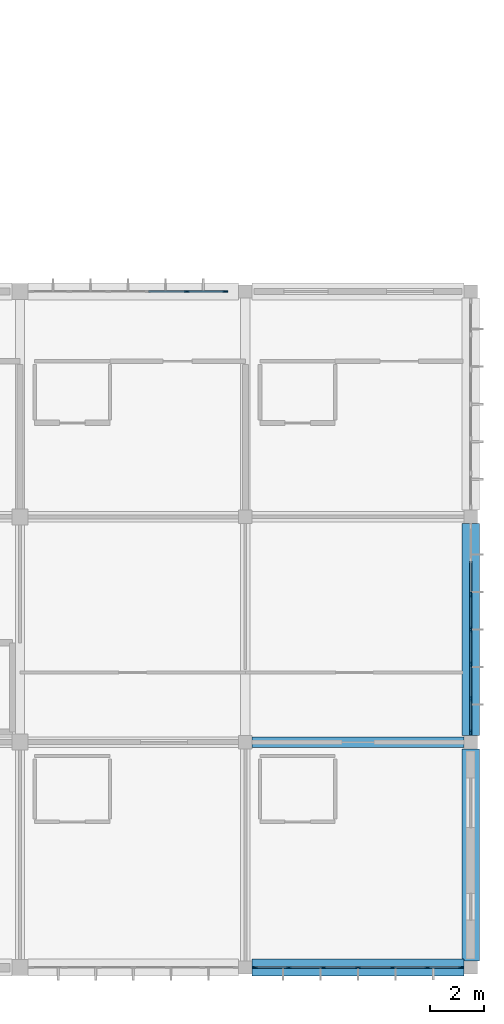
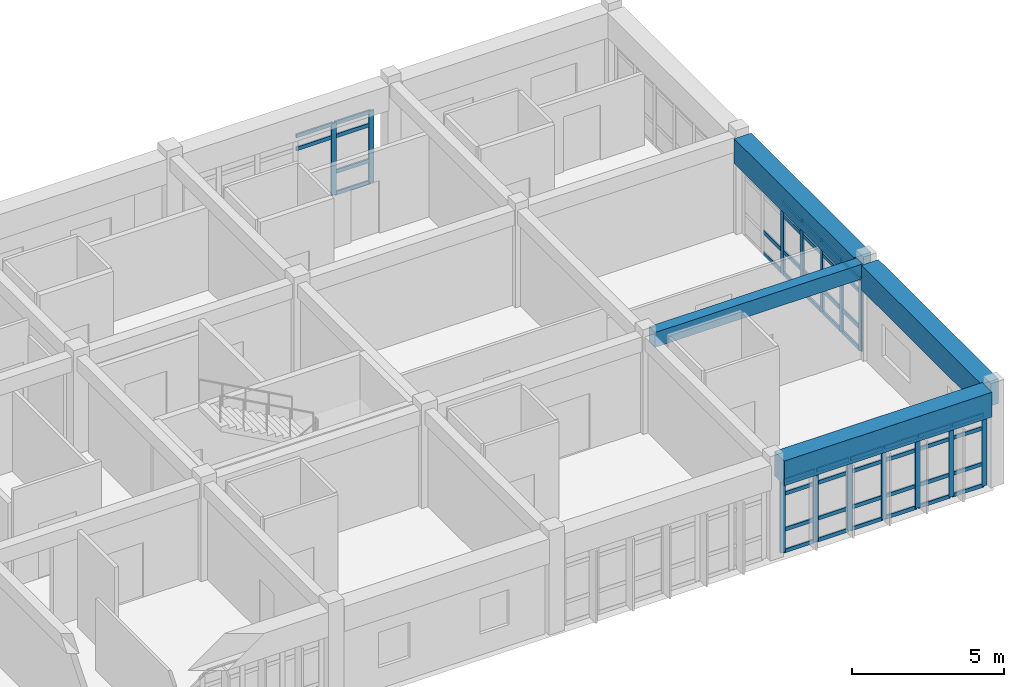
# One storey, part 46 of 119: 62 members, 4 beams, 3 elements without a shape of their own.
"""IFC4 building model written with IfcOpenShell, lengths in metres."""

from ifc_helpers import new_model, si_unit, direction, frame, origin, origin_2d, place, context, subcontext, project, spatial, rectangle, extrude, material, layer, layer_set, material_profile, profile_set, type_object, element, aggregate, save


model = new_model("IFC4")

# Units and contexts
model_context = context("Model", 3, precision=1e-05, world=origin(), true_north=direction((0.0, 1.0)))
body_context = subcontext(model_context, "Body", "Model", "MODEL_VIEW")
ifc_project = project(units=[si_unit("LENGTHUNIT", "METRE"), si_unit("AREAUNIT", "SQUARE_METRE"), si_unit("VOLUMEUNIT", "CUBIC_METRE"), si_unit("PLANEANGLEUNIT", "RADIAN"), si_unit("MASSUNIT", "GRAM", prefix="KILO")], contexts=[model_context])

# Site, building, storey
site_placement = place(None, origin())
site = spatial("IfcSite", under=ifc_project, at=site_placement, CompositionType="ELEMENT")
building_placement = place(site_placement, origin())
building = spatial("IfcBuilding", under=site, at=building_placement, Name="Bramfleet General Hospital", CompositionType="ELEMENT")
storey_placement = place(building_placement, frame((0.0, 0.0, 14.39990234375)))
storey = spatial("IfcBuildingStorey", under=building, at=storey_placement, Name="L03", CompositionType="ELEMENT", Elevation=14.39990234375)

# Beams
ifc_material_1 = material(Name="Concrete C35/45", Category="concrete")
ifc_material_profile_1 = material_profile(ifc_material_1, rectangle(XDim=0.39990234375, YDim=0.60009765625, at=origin_2d()), Name="RC BM 600x400")
ifc_profile_set_1 = profile_set([ifc_material_profile_1], Name="Concrete C35/45")
beam_type_1 = type_object("IfcBeamType", Name="BM-RC600", PredefinedType="BEAM", material=ifc_profile_set_1)
beam_1_placement = place(storey_placement, frame((159.85009765625, 8.39990234375, 3.60009765625), z_axis=(1.0, 0.0, 0.0), x_axis=(0.0, 1.0, 0.0)))
element("IfcBeam", 1, at=beam_1_placement, inside=storey, type_object=beam_type_1, Name="L03 Grid Beam X 19-01", PredefinedType="BEAM", context=body_context, shape_type="SweptSolid", body=[
    extrude(rectangle(XDim=0.39990234375, YDim=0.60009765625, at=origin_2d()), origin(), (0.0, 0.0, 1.0), 7.89990234375),
])
ifc_material_2 = material(Name="Concrete C40/50", Category="concrete")
ifc_material_profile_2 = material_profile(ifc_material_2, rectangle(XDim=0.64990234375, YDim=1.0, at=origin_2d()), Name="RC TG 1000x650")
ifc_profile_set_2 = profile_set([ifc_material_profile_2], Name="Concrete C40/50")
beam_type_2 = type_object("IfcBeamType", Name="BM-TG1000", PredefinedType="BEAM", material=ifc_profile_set_2)
for number, where, z_axis, x_axis, name in (
    (2, (159.85009765625, 0.0, 3.400146484375), (1.0, 0.0, 0.0), (0.0, 1.0, 0.0), "L03 Transfer Girder X 19-00"),
    (3, (168.0, 0.25, 3.400146484375), (0.0, 1.0, 0.0), (-1.0, 0.0, 0.0), "L03 Transfer Girder Y 20-00"),
):
    element("IfcBeam", number, at=place(storey_placement, frame(where, z_axis=z_axis, x_axis=x_axis)), inside=storey, type_object=beam_type_2, Name=name, PredefinedType="BEAM", context=body_context, shape_type="SweptSolid", body=[
        extrude(rectangle(XDim=0.64990234375, YDim=1.0, at=origin_2d()), origin(), (0.0, 0.0, 1.0), 7.89990234375),
    ])
beam_2_placement = place(storey_placement, frame((168.0, 8.64990234375, 3.400146484375), z_axis=(0.0, 1.0, 0.0), x_axis=(-1.0, 0.0, 0.0)))
element("IfcBeam", 4, at=beam_2_placement, inside=storey, type_object=beam_type_2, Name="L03 Transfer Girder Y 20-01", PredefinedType="BEAM", context=body_context, shape_type="SweptSolid", body=[
    extrude(rectangle(XDim=0.64990234375, YDim=1.0, at=origin_2d()), origin(), (0.0, 0.0, 1.0), 7.900146484375),
])

# Curtain wall, members
ifc_material_3 = material(Name="Anodised aluminium and low-E triple glazing", Category="aluminium")
ifc_layer_1 = layer(ifc_material_3, 0.179931640625, Name="CWT-CW-04")
ifc_layer_set_1 = layer_set([ifc_layer_1], Name="Anodised aluminium and low-E triple glazing")
curtain_wall_type_1 = type_object("IfcCurtainWallType", Name="CWT-CW-04", PredefinedType="USERDEFINED", material=ifc_layer_set_1)
curtain_wall_1_placement = place(storey_placement, origin())
curtain_wall_1 = element("IfcCurtainWall", 5, at=curtain_wall_1_placement, inside=storey, type_object=curtain_wall_type_1, Name="L03 Curtain Wall 166", ObjectType="Unitised curtain wall", PredefinedType="USERDEFINED")
ifc_material_4 = material(Name="Structural timber GL28h", Category="wood")
ifc_material_profile_3 = material_profile(ifc_material_4, rectangle(XDim=0.070068359375, YDim=0.18994140625, at=origin_2d()), Name="LARCH 190x70")
ifc_profile_set_3 = profile_set([ifc_material_profile_3], Name="Structural timber GL28h")
member_type_1 = type_object("IfcMemberType", Name="CWM-LARCH450", PredefinedType="MULLION", material=ifc_profile_set_3)
member_1_placement = place(storey_placement, frame((157.4189453125, 25.199951171875, 0.0), z_axis=(0.0, 0.0, 1.0), x_axis=(0.0, 1.0, 0.0)))
member_1 = element("IfcMember", 6, at=member_1_placement, type_object=member_type_1, Name="CW-04 mullion 5", PredefinedType="MULLION", context=body_context, shape_type="SweptSolid", body=[
    extrude(rectangle(XDim=0.070068359375, YDim=0.18994140625, at=origin_2d()), origin(), (0.0, 0.0, 1.0), 2.89013671875),
])
member_2_placement = place(storey_placement, frame((158.844970703125, 25.199951171875, 0.0), z_axis=(0.0, 0.0, 1.0), x_axis=(0.0, 1.0, 0.0)))
member_2 = element("IfcMember", 7, at=member_2_placement, type_object=member_type_1, Name="CW-04 mullion 6", PredefinedType="MULLION", context=body_context, shape_type="SweptSolid", body=[
    extrude(rectangle(XDim=0.070068359375, YDim=0.18994140625, at=origin_2d()), origin(), (0.0, 0.0, 1.0), 2.89013671875),
])

ifc_layer_2 = layer(ifc_material_3, 0.179931640625, Name="CWT-CW-06")
ifc_layer_set_2 = layer_set([ifc_layer_2], Name="Anodised aluminium and low-E triple glazing")
curtain_wall_type_2 = type_object("IfcCurtainWallType", Name="CWT-CW-06", PredefinedType="USERDEFINED", material=ifc_layer_set_2)
curtain_wall_2_placement = place(storey_placement, origin())
curtain_wall_2 = element("IfcCurtainWall", 8, at=curtain_wall_2_placement, inside=storey, type_object=curtain_wall_type_2, Name="L03 Curtain Wall 168", ObjectType="Unitised curtain wall", PredefinedType="USERDEFINED")
member_3_placement = place(storey_placement, frame((168.0, 13.8916015625, 0.0), z_axis=(0.0, 0.0, 1.0), x_axis=(1.0, 0.0, 0.0)))
member_3 = element("IfcMember", 9, at=member_3_placement, type_object=member_type_1, Name="CW-06 mullion 3", PredefinedType="MULLION", context=body_context, shape_type="SweptSolid", body=[
    extrude(rectangle(XDim=0.070068359375, YDim=0.18994140625, at=origin_2d()), origin(), (0.0, 0.0, 1.0), 2.89013671875),
])
member_4_placement = place(storey_placement, frame((168.0, 12.60009765625, 0.0), z_axis=(0.0, 0.0, 1.0), x_axis=(1.0, 0.0, 0.0)))
member_4 = element("IfcMember", 10, at=member_4_placement, type_object=member_type_1, Name="CW-06 mullion 4", PredefinedType="MULLION", context=body_context, shape_type="SweptSolid", body=[
    extrude(rectangle(XDim=0.070068359375, YDim=0.18994140625, at=origin_2d()), origin(), (0.0, 0.0, 1.0), 2.89013671875),
])
member_5_placement = place(storey_placement, frame((168.0, 11.308349609375, 0.0), z_axis=(0.0, 0.0, 1.0), x_axis=(1.0, 0.0, 0.0)))
member_5 = element("IfcMember", 11, at=member_5_placement, type_object=member_type_1, Name="CW-06 mullion 5", PredefinedType="MULLION", context=body_context, shape_type="SweptSolid", body=[
    extrude(rectangle(XDim=0.070068359375, YDim=0.18994140625, at=origin_2d()), origin(), (0.0, 0.0, 1.0), 2.89013671875),
])
member_6_placement = place(storey_placement, frame((168.0, 10.0166015625, 0.0), z_axis=(0.0, 0.0, 1.0), x_axis=(1.0, 0.0, 0.0)))
member_6 = element("IfcMember", 12, at=member_6_placement, type_object=member_type_1, Name="CW-06 mullion 6", PredefinedType="MULLION", context=body_context, shape_type="SweptSolid", body=[
    extrude(rectangle(XDim=0.070068359375, YDim=0.18994140625, at=origin_2d()), origin(), (0.0, 0.0, 1.0), 2.89013671875),
])
member_7_placement = place(storey_placement, frame((168.0, 8.760009765625, 0.0), z_axis=(0.0, 0.0, 1.0), x_axis=(1.0, 0.0, 0.0)))
member_7 = element("IfcMember", 13, at=member_7_placement, type_object=member_type_1, Name="CW-06 mullion 7", PredefinedType="MULLION", context=body_context, shape_type="SweptSolid", body=[
    extrude(rectangle(XDim=0.070068359375, YDim=0.18994140625, at=origin_2d()), origin(), (0.0, 0.0, 1.0), 2.89013671875),
])

ifc_layer_3 = layer(ifc_material_3, 0.179931640625, Name="CWT-CW-07")
ifc_layer_set_3 = layer_set([ifc_layer_3], Name="Anodised aluminium and low-E triple glazing")
curtain_wall_type_3 = type_object("IfcCurtainWallType", Name="CWT-CW-07", PredefinedType="USERDEFINED", material=ifc_layer_set_3)
curtain_wall_3_placement = place(storey_placement, origin())
curtain_wall_3 = element("IfcCurtainWall", 14, at=curtain_wall_3_placement, inside=storey, type_object=curtain_wall_type_3, Name="L03 Curtain Wall 169", ObjectType="Unitised curtain wall", PredefinedType="USERDEFINED")
member_8_placement = place(storey_placement, frame((167.639892578125, 0.0, 0.0), z_axis=(0.0, 0.0, 1.0), x_axis=(0.0, -1.0, 0.0)))
member_8 = element("IfcMember", 15, at=member_8_placement, type_object=member_type_1, Name="CW-07 mullion 1", PredefinedType="MULLION", context=body_context, shape_type="SweptSolid", body=[
    extrude(rectangle(XDim=0.070068359375, YDim=0.18994140625, at=origin_2d()), origin(), (0.0, 0.0, 1.0), 2.89013671875),
])
member_9_placement = place(storey_placement, frame((166.38330078125, 0.0, 0.0), z_axis=(0.0, 0.0, 1.0), x_axis=(0.0, -1.0, 0.0)))
member_9 = element("IfcMember", 16, at=member_9_placement, type_object=member_type_1, Name="CW-07 mullion 2", PredefinedType="MULLION", context=body_context, shape_type="SweptSolid", body=[
    extrude(rectangle(XDim=0.070068359375, YDim=0.18994140625, at=origin_2d()), origin(), (0.0, 0.0, 1.0), 2.89013671875),
])
member_10_placement = place(storey_placement, frame((165.091552734375, 0.0, 0.0), z_axis=(0.0, 0.0, 1.0), x_axis=(0.0, -1.0, 0.0)))
member_10 = element("IfcMember", 17, at=member_10_placement, type_object=member_type_1, Name="CW-07 mullion 3", PredefinedType="MULLION", context=body_context, shape_type="SweptSolid", body=[
    extrude(rectangle(XDim=0.070068359375, YDim=0.18994140625, at=origin_2d()), origin(), (0.0, 0.0, 1.0), 2.89013671875),
])
member_11_placement = place(storey_placement, frame((163.800048828125, 0.0, 0.0), z_axis=(0.0, 0.0, 1.0), x_axis=(0.0, -1.0, 0.0)))
member_11 = element("IfcMember", 18, at=member_11_placement, type_object=member_type_1, Name="CW-07 mullion 4", PredefinedType="MULLION", context=body_context, shape_type="SweptSolid", body=[
    extrude(rectangle(XDim=0.070068359375, YDim=0.18994140625, at=origin_2d()), origin(), (0.0, 0.0, 1.0), 2.89013671875),
])
member_12_placement = place(storey_placement, frame((162.50830078125, 0.0, 0.0), z_axis=(0.0, 0.0, 1.0), x_axis=(0.0, -1.0, 0.0)))
member_12 = element("IfcMember", 19, at=member_12_placement, type_object=member_type_1, Name="CW-07 mullion 5", PredefinedType="MULLION", context=body_context, shape_type="SweptSolid", body=[
    extrude(rectangle(XDim=0.070068359375, YDim=0.18994140625, at=origin_2d()), origin(), (0.0, 0.0, 1.0), 2.89013671875),
])
member_13_placement = place(storey_placement, frame((161.216552734375, 0.0, 0.0), z_axis=(0.0, 0.0, 1.0), x_axis=(0.0, -1.0, 0.0)))
member_13 = element("IfcMember", 20, at=member_13_placement, type_object=member_type_1, Name="CW-07 mullion 6", PredefinedType="MULLION", context=body_context, shape_type="SweptSolid", body=[
    extrude(rectangle(XDim=0.070068359375, YDim=0.18994140625, at=origin_2d()), origin(), (0.0, 0.0, 1.0), 2.89013671875),
])
member_14_placement = place(storey_placement, frame((159.9599609375, 0.0, 0.0), z_axis=(0.0, 0.0, 1.0), x_axis=(0.0, -1.0, 0.0)))
member_14 = element("IfcMember", 21, at=member_14_placement, type_object=member_type_1, Name="CW-07 mullion 7", PredefinedType="MULLION", context=body_context, shape_type="SweptSolid", body=[
    extrude(rectangle(XDim=0.070068359375, YDim=0.18994140625, at=origin_2d()), origin(), (0.0, 0.0, 1.0), 2.89013671875),
])

# Member
ifc_material_profile_4 = material_profile(ifc_material_4, rectangle(XDim=0.06494140625, YDim=0.14990234375, at=origin_2d()), Name="LARCH 150x65")
ifc_profile_set_4 = profile_set([ifc_material_profile_4], Name="Structural timber GL28h")
member_type_2 = type_object("IfcMemberType", Name="CWT-LARCH220", PredefinedType="USERDEFINED", material=ifc_profile_set_4)
member_15_placement = place(storey_placement, frame((155.992919921875, 25.199951171875, 2.340087890625), z_axis=(1.0, 0.0, 0.0), x_axis=(0.0, 1.0, 0.0)))
member_15 = element("IfcMember", 22, at=member_15_placement, type_object=member_type_2, Name="CW-04 transom 4.3", ObjectType="TRANSOM", PredefinedType="USERDEFINED", context=body_context, shape_type="SweptSolid", body=[
    extrude(rectangle(XDim=0.06494140625, YDim=0.14990234375, at=origin_2d()), origin(), (0.0, 0.0, 1.0), 1.39111328125),
])

member_16_placement = place(storey_placement, frame((155.992919921875, 25.199951171875, 2.857666015625), z_axis=(1.0, 0.0, 0.0), x_axis=(0.0, 1.0, 0.0)))
member_16 = element("IfcMember", 23, at=member_16_placement, type_object=member_type_2, Name="CW-04 transom 4.4", ObjectType="TRANSOM", PredefinedType="USERDEFINED", context=body_context, shape_type="SweptSolid", body=[
    extrude(rectangle(XDim=0.06494140625, YDim=0.14990234375, at=origin_2d()), origin(), (0.0, 0.0, 1.0), 1.39111328125),
])

member_17_placement = place(storey_placement, frame((157.4541015625, 25.199951171875, 0.03271484375), z_axis=(1.0, 0.0, 0.0), x_axis=(0.0, 1.0, 0.0)))
member_17 = element("IfcMember", 24, at=member_17_placement, type_object=member_type_2, Name="CW-04 transom 5.1", ObjectType="TRANSOM", PredefinedType="USERDEFINED", context=body_context, shape_type="SweptSolid", body=[
    extrude(rectangle(XDim=0.06494140625, YDim=0.14990234375, at=origin_2d()), origin(), (0.0, 0.0, 1.0), 1.35595703125),
])

member_18_placement = place(storey_placement, frame((157.4541015625, 25.199951171875, 0.900146484375), z_axis=(1.0, 0.0, 0.0), x_axis=(0.0, 1.0, 0.0)))
member_18 = element("IfcMember", 25, at=member_18_placement, type_object=member_type_2, Name="CW-04 transom 5.2", ObjectType="TRANSOM", PredefinedType="USERDEFINED", context=body_context, shape_type="SweptSolid", body=[
    extrude(rectangle(XDim=0.06494140625, YDim=0.14990234375, at=origin_2d()), origin(), (0.0, 0.0, 1.0), 1.35595703125),
])

member_19_placement = place(storey_placement, frame((157.4541015625, 25.199951171875, 2.340087890625), z_axis=(1.0, 0.0, 0.0), x_axis=(0.0, 1.0, 0.0)))
member_19 = element("IfcMember", 26, at=member_19_placement, type_object=member_type_2, Name="CW-04 transom 5.3", ObjectType="TRANSOM", PredefinedType="USERDEFINED", context=body_context, shape_type="SweptSolid", body=[
    extrude(rectangle(XDim=0.06494140625, YDim=0.14990234375, at=origin_2d()), origin(), (0.0, 0.0, 1.0), 1.35595703125),
])

member_20_placement = place(storey_placement, frame((157.4541015625, 25.199951171875, 2.857666015625), z_axis=(1.0, 0.0, 0.0), x_axis=(0.0, 1.0, 0.0)))
member_20 = element("IfcMember", 27, at=member_20_placement, type_object=member_type_2, Name="CW-04 transom 5.4", ObjectType="TRANSOM", PredefinedType="USERDEFINED", context=body_context, shape_type="SweptSolid", body=[
    extrude(rectangle(XDim=0.06494140625, YDim=0.14990234375, at=origin_2d()), origin(), (0.0, 0.0, 1.0), 1.35595703125),
])

aggregate(curtain_wall_1, [member_1, member_2, member_15, member_16, member_17, member_18, member_19, member_20])

member_21_placement = place(storey_placement, frame((168.0, 15.1484375, 0.03271484375), z_axis=(0.0, -1.0, 0.0), x_axis=(1.0, 0.0, 0.0)))
member_21 = element("IfcMember", 28, at=member_21_placement, type_object=member_type_2, Name="CW-06 transom 2.1", ObjectType="TRANSOM", PredefinedType="USERDEFINED", context=body_context, shape_type="SweptSolid", body=[
    extrude(rectangle(XDim=0.06494140625, YDim=0.14990234375, at=origin_2d()), origin(), (0.0, 0.0, 1.0), 1.2216796875),
])

member_22_placement = place(storey_placement, frame((168.0, 15.1484375, 0.900146484375), z_axis=(0.0, -1.0, 0.0), x_axis=(1.0, 0.0, 0.0)))
member_22 = element("IfcMember", 29, at=member_22_placement, type_object=member_type_2, Name="CW-06 transom 2.2", ObjectType="TRANSOM", PredefinedType="USERDEFINED", context=body_context, shape_type="SweptSolid", body=[
    extrude(rectangle(XDim=0.06494140625, YDim=0.14990234375, at=origin_2d()), origin(), (0.0, 0.0, 1.0), 1.2216796875),
])

member_23_placement = place(storey_placement, frame((168.0, 13.856689453125, 0.03271484375), z_axis=(0.0, -1.0, 0.0), x_axis=(1.0, 0.0, 0.0)))
member_23 = element("IfcMember", 30, at=member_23_placement, type_object=member_type_2, Name="CW-06 transom 3.1", ObjectType="TRANSOM", PredefinedType="USERDEFINED", context=body_context, shape_type="SweptSolid", body=[
    extrude(rectangle(XDim=0.06494140625, YDim=0.14990234375, at=origin_2d()), origin(), (0.0, 0.0, 1.0), 1.2216796875),
])

member_24_placement = place(storey_placement, frame((168.0, 13.856689453125, 0.900146484375), z_axis=(0.0, -1.0, 0.0), x_axis=(1.0, 0.0, 0.0)))
member_24 = element("IfcMember", 31, at=member_24_placement, type_object=member_type_2, Name="CW-06 transom 3.2", ObjectType="TRANSOM", PredefinedType="USERDEFINED", context=body_context, shape_type="SweptSolid", body=[
    extrude(rectangle(XDim=0.06494140625, YDim=0.14990234375, at=origin_2d()), origin(), (0.0, 0.0, 1.0), 1.2216796875),
])

member_25_placement = place(storey_placement, frame((168.0, 13.856689453125, 2.340087890625), z_axis=(0.0, -1.0, 0.0), x_axis=(1.0, 0.0, 0.0)))
member_25 = element("IfcMember", 32, at=member_25_placement, type_object=member_type_2, Name="CW-06 transom 3.3", ObjectType="TRANSOM", PredefinedType="USERDEFINED", context=body_context, shape_type="SweptSolid", body=[
    extrude(rectangle(XDim=0.06494140625, YDim=0.14990234375, at=origin_2d()), origin(), (0.0, 0.0, 1.0), 1.2216796875),
])

member_26_placement = place(storey_placement, frame((168.0, 13.856689453125, 2.857666015625), z_axis=(0.0, -1.0, 0.0), x_axis=(1.0, 0.0, 0.0)))
member_26 = element("IfcMember", 33, at=member_26_placement, type_object=member_type_2, Name="CW-06 transom 3.4", ObjectType="TRANSOM", PredefinedType="USERDEFINED", context=body_context, shape_type="SweptSolid", body=[
    extrude(rectangle(XDim=0.06494140625, YDim=0.14990234375, at=origin_2d()), origin(), (0.0, 0.0, 1.0), 1.2216796875),
])

member_27_placement = place(storey_placement, frame((168.0, 12.56494140625, 0.03271484375), z_axis=(0.0, -1.0, 0.0), x_axis=(1.0, 0.0, 0.0)))
member_27 = element("IfcMember", 34, at=member_27_placement, type_object=member_type_2, Name="CW-06 transom 4.1", ObjectType="TRANSOM", PredefinedType="USERDEFINED", context=body_context, shape_type="SweptSolid", body=[
    extrude(rectangle(XDim=0.06494140625, YDim=0.14990234375, at=origin_2d()), origin(), (0.0, 0.0, 1.0), 1.2216796875),
])

member_28_placement = place(storey_placement, frame((168.0, 12.56494140625, 0.900146484375), z_axis=(0.0, -1.0, 0.0), x_axis=(1.0, 0.0, 0.0)))
member_28 = element("IfcMember", 35, at=member_28_placement, type_object=member_type_2, Name="CW-06 transom 4.2", ObjectType="TRANSOM", PredefinedType="USERDEFINED", context=body_context, shape_type="SweptSolid", body=[
    extrude(rectangle(XDim=0.06494140625, YDim=0.14990234375, at=origin_2d()), origin(), (0.0, 0.0, 1.0), 1.2216796875),
])

member_29_placement = place(storey_placement, frame((168.0, 12.56494140625, 2.340087890625), z_axis=(0.0, -1.0, 0.0), x_axis=(1.0, 0.0, 0.0)))
member_29 = element("IfcMember", 36, at=member_29_placement, type_object=member_type_2, Name="CW-06 transom 4.3", ObjectType="TRANSOM", PredefinedType="USERDEFINED", context=body_context, shape_type="SweptSolid", body=[
    extrude(rectangle(XDim=0.06494140625, YDim=0.14990234375, at=origin_2d()), origin(), (0.0, 0.0, 1.0), 1.2216796875),
])

member_30_placement = place(storey_placement, frame((168.0, 12.56494140625, 2.857666015625), z_axis=(0.0, -1.0, 0.0), x_axis=(1.0, 0.0, 0.0)))
member_30 = element("IfcMember", 37, at=member_30_placement, type_object=member_type_2, Name="CW-06 transom 4.4", ObjectType="TRANSOM", PredefinedType="USERDEFINED", context=body_context, shape_type="SweptSolid", body=[
    extrude(rectangle(XDim=0.06494140625, YDim=0.14990234375, at=origin_2d()), origin(), (0.0, 0.0, 1.0), 1.2216796875),
])

member_31_placement = place(storey_placement, frame((168.0, 11.2734375, 0.03271484375), z_axis=(0.0, -1.0, 0.0), x_axis=(1.0, 0.0, 0.0)))
member_31 = element("IfcMember", 38, at=member_31_placement, type_object=member_type_2, Name="CW-06 transom 5.1", ObjectType="TRANSOM", PredefinedType="USERDEFINED", context=body_context, shape_type="SweptSolid", body=[
    extrude(rectangle(XDim=0.06494140625, YDim=0.14990234375, at=origin_2d()), origin(), (0.0, 0.0, 1.0), 1.2216796875),
])

member_32_placement = place(storey_placement, frame((168.0, 11.2734375, 0.900146484375), z_axis=(0.0, -1.0, 0.0), x_axis=(1.0, 0.0, 0.0)))
member_32 = element("IfcMember", 39, at=member_32_placement, type_object=member_type_2, Name="CW-06 transom 5.2", ObjectType="TRANSOM", PredefinedType="USERDEFINED", context=body_context, shape_type="SweptSolid", body=[
    extrude(rectangle(XDim=0.06494140625, YDim=0.14990234375, at=origin_2d()), origin(), (0.0, 0.0, 1.0), 1.2216796875),
])

member_33_placement = place(storey_placement, frame((168.0, 11.2734375, 2.340087890625), z_axis=(0.0, -1.0, 0.0), x_axis=(1.0, 0.0, 0.0)))
member_33 = element("IfcMember", 40, at=member_33_placement, type_object=member_type_2, Name="CW-06 transom 5.3", ObjectType="TRANSOM", PredefinedType="USERDEFINED", context=body_context, shape_type="SweptSolid", body=[
    extrude(rectangle(XDim=0.06494140625, YDim=0.14990234375, at=origin_2d()), origin(), (0.0, 0.0, 1.0), 1.2216796875),
])

member_34_placement = place(storey_placement, frame((168.0, 11.2734375, 2.857666015625), z_axis=(0.0, -1.0, 0.0), x_axis=(1.0, 0.0, 0.0)))
member_34 = element("IfcMember", 41, at=member_34_placement, type_object=member_type_2, Name="CW-06 transom 5.4", ObjectType="TRANSOM", PredefinedType="USERDEFINED", context=body_context, shape_type="SweptSolid", body=[
    extrude(rectangle(XDim=0.06494140625, YDim=0.14990234375, at=origin_2d()), origin(), (0.0, 0.0, 1.0), 1.2216796875),
])

member_35_placement = place(storey_placement, frame((168.0, 9.981689453125, 0.03271484375), z_axis=(0.0, -1.0, 0.0), x_axis=(1.0, 0.0, 0.0)))
member_35 = element("IfcMember", 42, at=member_35_placement, type_object=member_type_2, Name="CW-06 transom 6.1", ObjectType="TRANSOM", PredefinedType="USERDEFINED", context=body_context, shape_type="SweptSolid", body=[
    extrude(rectangle(XDim=0.06494140625, YDim=0.14990234375, at=origin_2d()), origin(), (0.0, 0.0, 1.0), 1.186767578125),
])

member_36_placement = place(storey_placement, frame((168.0, 9.981689453125, 0.900146484375), z_axis=(0.0, -1.0, 0.0), x_axis=(1.0, 0.0, 0.0)))
member_36 = element("IfcMember", 43, at=member_36_placement, type_object=member_type_2, Name="CW-06 transom 6.2", ObjectType="TRANSOM", PredefinedType="USERDEFINED", context=body_context, shape_type="SweptSolid", body=[
    extrude(rectangle(XDim=0.06494140625, YDim=0.14990234375, at=origin_2d()), origin(), (0.0, 0.0, 1.0), 1.186767578125),
])

member_37_placement = place(storey_placement, frame((168.0, 9.981689453125, 2.340087890625), z_axis=(0.0, -1.0, 0.0), x_axis=(1.0, 0.0, 0.0)))
member_37 = element("IfcMember", 44, at=member_37_placement, type_object=member_type_2, Name="CW-06 transom 6.3", ObjectType="TRANSOM", PredefinedType="USERDEFINED", context=body_context, shape_type="SweptSolid", body=[
    extrude(rectangle(XDim=0.06494140625, YDim=0.14990234375, at=origin_2d()), origin(), (0.0, 0.0, 1.0), 1.186767578125),
])

member_38_placement = place(storey_placement, frame((168.0, 9.981689453125, 2.857666015625), z_axis=(0.0, -1.0, 0.0), x_axis=(1.0, 0.0, 0.0)))
member_38 = element("IfcMember", 45, at=member_38_placement, type_object=member_type_2, Name="CW-06 transom 6.4", ObjectType="TRANSOM", PredefinedType="USERDEFINED", context=body_context, shape_type="SweptSolid", body=[
    extrude(rectangle(XDim=0.06494140625, YDim=0.14990234375, at=origin_2d()), origin(), (0.0, 0.0, 1.0), 1.186767578125),
])

aggregate(curtain_wall_2, [member_3, member_4, member_5, member_6, member_7, member_21, member_22, member_23, member_24, member_25, member_26, member_27, member_28, member_29, member_30, member_31, member_32, member_33, member_34, member_35, member_36, member_37, member_38])

member_39_placement = place(storey_placement, frame((167.60498046875, 0.0, 0.03271484375), z_axis=(-1.0, 0.0, 0.0), x_axis=(0.0, -1.0, 0.0)))
member_39 = element("IfcMember", 46, at=member_39_placement, type_object=member_type_2, Name="CW-07 transom 1.1", ObjectType="TRANSOM", PredefinedType="USERDEFINED", context=body_context, shape_type="SweptSolid", body=[
    extrude(rectangle(XDim=0.06494140625, YDim=0.14990234375, at=origin_2d()), origin(), (0.0, 0.0, 1.0), 1.186767578125),
])

member_40_placement = place(storey_placement, frame((167.60498046875, 0.0, 0.900146484375), z_axis=(-1.0, 0.0, 0.0), x_axis=(0.0, -1.0, 0.0)))
member_40 = element("IfcMember", 47, at=member_40_placement, type_object=member_type_2, Name="CW-07 transom 1.2", ObjectType="TRANSOM", PredefinedType="USERDEFINED", context=body_context, shape_type="SweptSolid", body=[
    extrude(rectangle(XDim=0.06494140625, YDim=0.14990234375, at=origin_2d()), origin(), (0.0, 0.0, 1.0), 1.186767578125),
])

member_41_placement = place(storey_placement, frame((167.60498046875, 0.0, 2.340087890625), z_axis=(-1.0, 0.0, 0.0), x_axis=(0.0, -1.0, 0.0)))
member_41 = element("IfcMember", 48, at=member_41_placement, type_object=member_type_2, Name="CW-07 transom 1.3", ObjectType="TRANSOM", PredefinedType="USERDEFINED", context=body_context, shape_type="SweptSolid", body=[
    extrude(rectangle(XDim=0.06494140625, YDim=0.14990234375, at=origin_2d()), origin(), (0.0, 0.0, 1.0), 1.186767578125),
])

member_42_placement = place(storey_placement, frame((167.60498046875, 0.0, 2.857666015625), z_axis=(-1.0, 0.0, 0.0), x_axis=(0.0, -1.0, 0.0)))
member_42 = element("IfcMember", 49, at=member_42_placement, type_object=member_type_2, Name="CW-07 transom 1.4", ObjectType="TRANSOM", PredefinedType="USERDEFINED", context=body_context, shape_type="SweptSolid", body=[
    extrude(rectangle(XDim=0.06494140625, YDim=0.14990234375, at=origin_2d()), origin(), (0.0, 0.0, 1.0), 1.186767578125),
])

member_43_placement = place(storey_placement, frame((166.348388671875, 0.0, 0.03271484375), z_axis=(-1.0, 0.0, 0.0), x_axis=(0.0, -1.0, 0.0)))
member_43 = element("IfcMember", 50, at=member_43_placement, type_object=member_type_2, Name="CW-07 transom 2.1", ObjectType="TRANSOM", PredefinedType="USERDEFINED", context=body_context, shape_type="SweptSolid", body=[
    extrude(rectangle(XDim=0.06494140625, YDim=0.14990234375, at=origin_2d()), origin(), (0.0, 0.0, 1.0), 1.2216796875),
])

member_44_placement = place(storey_placement, frame((166.348388671875, 0.0, 0.900146484375), z_axis=(-1.0, 0.0, 0.0), x_axis=(0.0, -1.0, 0.0)))
member_44 = element("IfcMember", 51, at=member_44_placement, type_object=member_type_2, Name="CW-07 transom 2.2", ObjectType="TRANSOM", PredefinedType="USERDEFINED", context=body_context, shape_type="SweptSolid", body=[
    extrude(rectangle(XDim=0.06494140625, YDim=0.14990234375, at=origin_2d()), origin(), (0.0, 0.0, 1.0), 1.2216796875),
])

member_45_placement = place(storey_placement, frame((166.348388671875, 0.0, 2.340087890625), z_axis=(-1.0, 0.0, 0.0), x_axis=(0.0, -1.0, 0.0)))
member_45 = element("IfcMember", 52, at=member_45_placement, type_object=member_type_2, Name="CW-07 transom 2.3", ObjectType="TRANSOM", PredefinedType="USERDEFINED", context=body_context, shape_type="SweptSolid", body=[
    extrude(rectangle(XDim=0.06494140625, YDim=0.14990234375, at=origin_2d()), origin(), (0.0, 0.0, 1.0), 1.2216796875),
])

member_46_placement = place(storey_placement, frame((166.348388671875, 0.0, 2.857666015625), z_axis=(-1.0, 0.0, 0.0), x_axis=(0.0, -1.0, 0.0)))
member_46 = element("IfcMember", 53, at=member_46_placement, type_object=member_type_2, Name="CW-07 transom 2.4", ObjectType="TRANSOM", PredefinedType="USERDEFINED", context=body_context, shape_type="SweptSolid", body=[
    extrude(rectangle(XDim=0.06494140625, YDim=0.14990234375, at=origin_2d()), origin(), (0.0, 0.0, 1.0), 1.2216796875),
])

member_47_placement = place(storey_placement, frame((165.056640625, 0.0, 0.03271484375), z_axis=(-1.0, 0.0, 0.0), x_axis=(0.0, -1.0, 0.0)))
member_47 = element("IfcMember", 54, at=member_47_placement, type_object=member_type_2, Name="CW-07 transom 3.1", ObjectType="TRANSOM", PredefinedType="USERDEFINED", context=body_context, shape_type="SweptSolid", body=[
    extrude(rectangle(XDim=0.06494140625, YDim=0.14990234375, at=origin_2d()), origin(), (0.0, 0.0, 1.0), 1.2216796875),
])

member_48_placement = place(storey_placement, frame((165.056640625, 0.0, 0.900146484375), z_axis=(-1.0, 0.0, 0.0), x_axis=(0.0, -1.0, 0.0)))
member_48 = element("IfcMember", 55, at=member_48_placement, type_object=member_type_2, Name="CW-07 transom 3.2", ObjectType="TRANSOM", PredefinedType="USERDEFINED", context=body_context, shape_type="SweptSolid", body=[
    extrude(rectangle(XDim=0.06494140625, YDim=0.14990234375, at=origin_2d()), origin(), (0.0, 0.0, 1.0), 1.2216796875),
])

member_49_placement = place(storey_placement, frame((165.056640625, 0.0, 2.340087890625), z_axis=(-1.0, 0.0, 0.0), x_axis=(0.0, -1.0, 0.0)))
member_49 = element("IfcMember", 56, at=member_49_placement, type_object=member_type_2, Name="CW-07 transom 3.3", ObjectType="TRANSOM", PredefinedType="USERDEFINED", context=body_context, shape_type="SweptSolid", body=[
    extrude(rectangle(XDim=0.06494140625, YDim=0.14990234375, at=origin_2d()), origin(), (0.0, 0.0, 1.0), 1.2216796875),
])

member_50_placement = place(storey_placement, frame((165.056640625, 0.0, 2.857666015625), z_axis=(-1.0, 0.0, 0.0), x_axis=(0.0, -1.0, 0.0)))
member_50 = element("IfcMember", 57, at=member_50_placement, type_object=member_type_2, Name="CW-07 transom 3.4", ObjectType="TRANSOM", PredefinedType="USERDEFINED", context=body_context, shape_type="SweptSolid", body=[
    extrude(rectangle(XDim=0.06494140625, YDim=0.14990234375, at=origin_2d()), origin(), (0.0, 0.0, 1.0), 1.2216796875),
])

member_51_placement = place(storey_placement, frame((163.764892578125, 0.0, 0.03271484375), z_axis=(-1.0, 0.0, 0.0), x_axis=(0.0, -1.0, 0.0)))
member_51 = element("IfcMember", 58, at=member_51_placement, type_object=member_type_2, Name="CW-07 transom 4.1", ObjectType="TRANSOM", PredefinedType="USERDEFINED", context=body_context, shape_type="SweptSolid", body=[
    extrude(rectangle(XDim=0.06494140625, YDim=0.14990234375, at=origin_2d()), origin(), (0.0, 0.0, 1.0), 1.2216796875),
])

member_52_placement = place(storey_placement, frame((163.764892578125, 0.0, 0.900146484375), z_axis=(-1.0, 0.0, 0.0), x_axis=(0.0, -1.0, 0.0)))
member_52 = element("IfcMember", 59, at=member_52_placement, type_object=member_type_2, Name="CW-07 transom 4.2", ObjectType="TRANSOM", PredefinedType="USERDEFINED", context=body_context, shape_type="SweptSolid", body=[
    extrude(rectangle(XDim=0.06494140625, YDim=0.14990234375, at=origin_2d()), origin(), (0.0, 0.0, 1.0), 1.2216796875),
])

member_53_placement = place(storey_placement, frame((163.764892578125, 0.0, 2.340087890625), z_axis=(-1.0, 0.0, 0.0), x_axis=(0.0, -1.0, 0.0)))
member_53 = element("IfcMember", 60, at=member_53_placement, type_object=member_type_2, Name="CW-07 transom 4.3", ObjectType="TRANSOM", PredefinedType="USERDEFINED", context=body_context, shape_type="SweptSolid", body=[
    extrude(rectangle(XDim=0.06494140625, YDim=0.14990234375, at=origin_2d()), origin(), (0.0, 0.0, 1.0), 1.2216796875),
])

member_54_placement = place(storey_placement, frame((163.764892578125, 0.0, 2.857666015625), z_axis=(-1.0, 0.0, 0.0), x_axis=(0.0, -1.0, 0.0)))
member_54 = element("IfcMember", 61, at=member_54_placement, type_object=member_type_2, Name="CW-07 transom 4.4", ObjectType="TRANSOM", PredefinedType="USERDEFINED", context=body_context, shape_type="SweptSolid", body=[
    extrude(rectangle(XDim=0.06494140625, YDim=0.14990234375, at=origin_2d()), origin(), (0.0, 0.0, 1.0), 1.2216796875),
])

member_55_placement = place(storey_placement, frame((162.473388671875, 0.0, 0.03271484375), z_axis=(-1.0, 0.0, 0.0), x_axis=(0.0, -1.0, 0.0)))
member_55 = element("IfcMember", 62, at=member_55_placement, type_object=member_type_2, Name="CW-07 transom 5.1", ObjectType="TRANSOM", PredefinedType="USERDEFINED", context=body_context, shape_type="SweptSolid", body=[
    extrude(rectangle(XDim=0.06494140625, YDim=0.14990234375, at=origin_2d()), origin(), (0.0, 0.0, 1.0), 1.2216796875),
])

member_56_placement = place(storey_placement, frame((162.473388671875, 0.0, 0.900146484375), z_axis=(-1.0, 0.0, 0.0), x_axis=(0.0, -1.0, 0.0)))
member_56 = element("IfcMember", 63, at=member_56_placement, type_object=member_type_2, Name="CW-07 transom 5.2", ObjectType="TRANSOM", PredefinedType="USERDEFINED", context=body_context, shape_type="SweptSolid", body=[
    extrude(rectangle(XDim=0.06494140625, YDim=0.14990234375, at=origin_2d()), origin(), (0.0, 0.0, 1.0), 1.2216796875),
])

member_57_placement = place(storey_placement, frame((162.473388671875, 0.0, 2.340087890625), z_axis=(-1.0, 0.0, 0.0), x_axis=(0.0, -1.0, 0.0)))
member_57 = element("IfcMember", 64, at=member_57_placement, type_object=member_type_2, Name="CW-07 transom 5.3", ObjectType="TRANSOM", PredefinedType="USERDEFINED", context=body_context, shape_type="SweptSolid", body=[
    extrude(rectangle(XDim=0.06494140625, YDim=0.14990234375, at=origin_2d()), origin(), (0.0, 0.0, 1.0), 1.2216796875),
])

member_58_placement = place(storey_placement, frame((162.473388671875, 0.0, 2.857666015625), z_axis=(-1.0, 0.0, 0.0), x_axis=(0.0, -1.0, 0.0)))
member_58 = element("IfcMember", 65, at=member_58_placement, type_object=member_type_2, Name="CW-07 transom 5.4", ObjectType="TRANSOM", PredefinedType="USERDEFINED", context=body_context, shape_type="SweptSolid", body=[
    extrude(rectangle(XDim=0.06494140625, YDim=0.14990234375, at=origin_2d()), origin(), (0.0, 0.0, 1.0), 1.2216796875),
])

member_59_placement = place(storey_placement, frame((161.181640625, 0.0, 0.03271484375), z_axis=(-1.0, 0.0, 0.0), x_axis=(0.0, -1.0, 0.0)))
member_59 = element("IfcMember", 66, at=member_59_placement, type_object=member_type_2, Name="CW-07 transom 6.1", ObjectType="TRANSOM", PredefinedType="USERDEFINED", context=body_context, shape_type="SweptSolid", body=[
    extrude(rectangle(XDim=0.06494140625, YDim=0.14990234375, at=origin_2d()), origin(), (0.0, 0.0, 1.0), 1.1865234375),
])

member_60_placement = place(storey_placement, frame((161.181640625, 0.0, 0.900146484375), z_axis=(-1.0, 0.0, 0.0), x_axis=(0.0, -1.0, 0.0)))
member_60 = element("IfcMember", 67, at=member_60_placement, type_object=member_type_2, Name="CW-07 transom 6.2", ObjectType="TRANSOM", PredefinedType="USERDEFINED", context=body_context, shape_type="SweptSolid", body=[
    extrude(rectangle(XDim=0.06494140625, YDim=0.14990234375, at=origin_2d()), origin(), (0.0, 0.0, 1.0), 1.1865234375),
])

member_61_placement = place(storey_placement, frame((161.181640625, 0.0, 2.340087890625), z_axis=(-1.0, 0.0, 0.0), x_axis=(0.0, -1.0, 0.0)))
member_61 = element("IfcMember", 68, at=member_61_placement, type_object=member_type_2, Name="CW-07 transom 6.3", ObjectType="TRANSOM", PredefinedType="USERDEFINED", context=body_context, shape_type="SweptSolid", body=[
    extrude(rectangle(XDim=0.06494140625, YDim=0.14990234375, at=origin_2d()), origin(), (0.0, 0.0, 1.0), 1.1865234375),
])

member_62_placement = place(storey_placement, frame((161.181640625, 0.0, 2.857666015625), z_axis=(-1.0, 0.0, 0.0), x_axis=(0.0, -1.0, 0.0)))
member_62 = element("IfcMember", 69, at=member_62_placement, type_object=member_type_2, Name="CW-07 transom 6.4", ObjectType="TRANSOM", PredefinedType="USERDEFINED", context=body_context, shape_type="SweptSolid", body=[
    extrude(rectangle(XDim=0.06494140625, YDim=0.14990234375, at=origin_2d()), origin(), (0.0, 0.0, 1.0), 1.1865234375),
])

aggregate(curtain_wall_3, [member_8, member_9, member_10, member_11, member_12, member_13, member_14, member_39, member_40, member_41, member_42, member_43, member_44, member_45, member_46, member_47, member_48, member_49, member_50, member_51, member_52, member_53, member_54, member_55, member_56, member_57, member_58, member_59, member_60, member_61, member_62])

save(model, "model.ifc")
